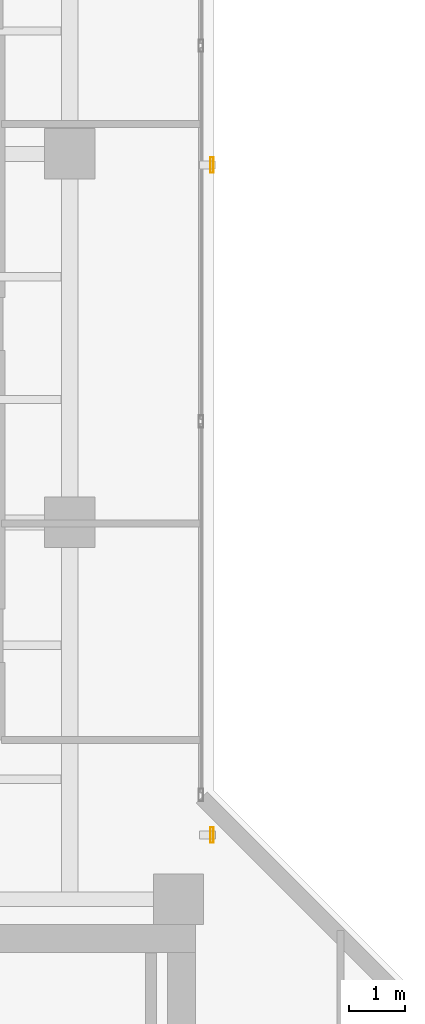
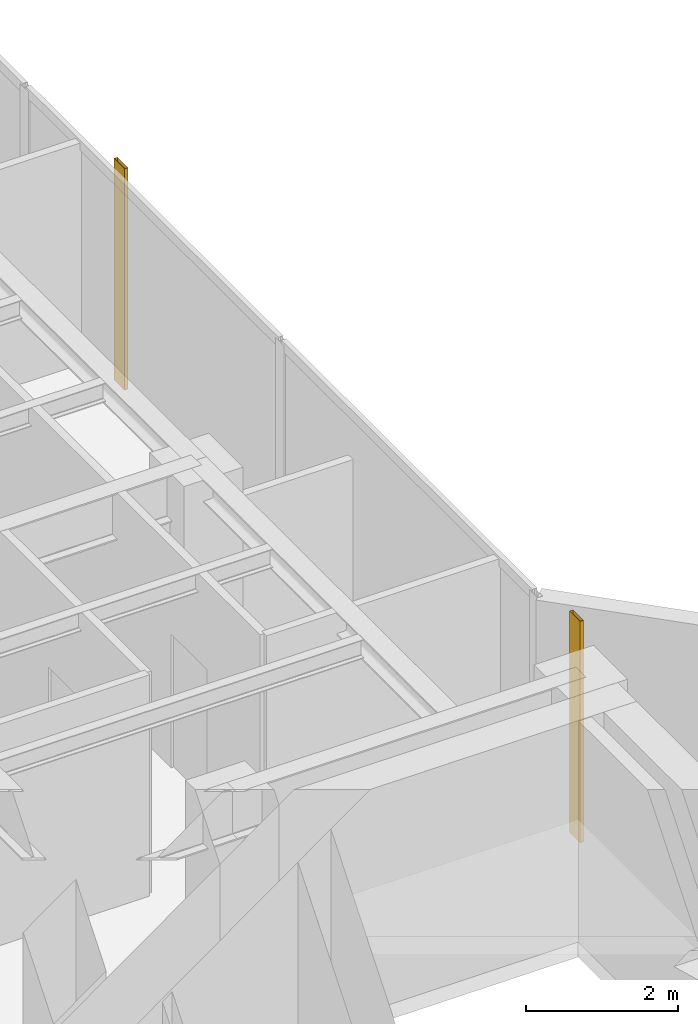
# One storey, part 22 of 22: 2 shading devices.
"""IFC4 building model written with IfcOpenShell, lengths in metres."""

from ifc_helpers import new_model, si_unit, direction, frame, origin, origin_2d, place, context, subcontext, project, spatial, hollow_rectangle, extrude, material, material_profile, profile_set, type_object, element, save


model = new_model("IFC4")

# Units and contexts
model_context = context("Model", 3, precision=1e-05, world=origin(), true_north=direction((0.0, 1.0)))
body_context = subcontext(model_context, "Body", "Model", "MODEL_VIEW")
ifc_project = project(units=[si_unit("LENGTHUNIT", "METRE"), si_unit("AREAUNIT", "SQUARE_METRE"), si_unit("VOLUMEUNIT", "CUBIC_METRE"), si_unit("PLANEANGLEUNIT", "RADIAN"), si_unit("MASSUNIT", "GRAM", prefix="KILO")], contexts=[model_context])

# Site, building, storey
site_placement = place(None, origin())
site = spatial("IfcSite", under=ifc_project, at=site_placement, CompositionType="ELEMENT")
building_placement = place(site_placement, origin())
building = spatial("IfcBuilding", under=site, at=building_placement, Name="Kolvaren Waterfront Exchange", CompositionType="ELEMENT")
storey_placement = place(building_placement, frame((0.0, 0.0, 266.60009765625)))
storey = spatial("IfcBuildingStorey", under=building, at=storey_placement, Name="L68", CompositionType="ELEMENT", Elevation=266.60009765625)

# Shading devices
ifc_material = material(Name="Anodised bronze aluminium 6063-T6", Category="aluminium")
ifc_material_profile = material_profile(ifc_material, hollow_rectangle(XDim=0.054931640625, YDim=0.280029296875, WallThickness=0.00439453125, at=origin_2d()), Name="BRZ-FIN-280x55x4.5")
ifc_profile_set = profile_set([ifc_material_profile], Name="Anodised bronze aluminium 6063-T6")
shading_device_type = type_object("IfcShadingDeviceType", Name="ARC-FIN-280", PredefinedType="USERDEFINED", material=ifc_profile_set)
for number, where, z_axis, x_axis, name in (
    (1, (21.349609375, 25.60009765625, 0.0), (0.0, 0.0, 1.0), (1.0, 0.0, 0.0), "L68 anodised bronze solar shading fin FIN-L68-E2"),
    (2, (21.349609375, 37.60009765625, 0.0), (0.0, 0.0, 1.0), (1.0, 0.0, 0.0), "L68 anodised bronze solar shading fin FIN-L68-E3"),
):
    element("IfcShadingDevice", number, at=place(storey_placement, frame(where, z_axis=z_axis, x_axis=x_axis)), inside=storey, type_object=shading_device_type, Name=name, ObjectType="SOLAR FIN", PredefinedType="USERDEFINED", context=body_context, shape_type="SweptSolid", body=[
        extrude(hollow_rectangle(XDim=0.054931640625, YDim=0.280029296875, WallThickness=0.00439453125, at=origin_2d()), origin(), (0.0, 0.0, 1.0), 3.559814453125),
    ])

save(model, "model.ifc")
